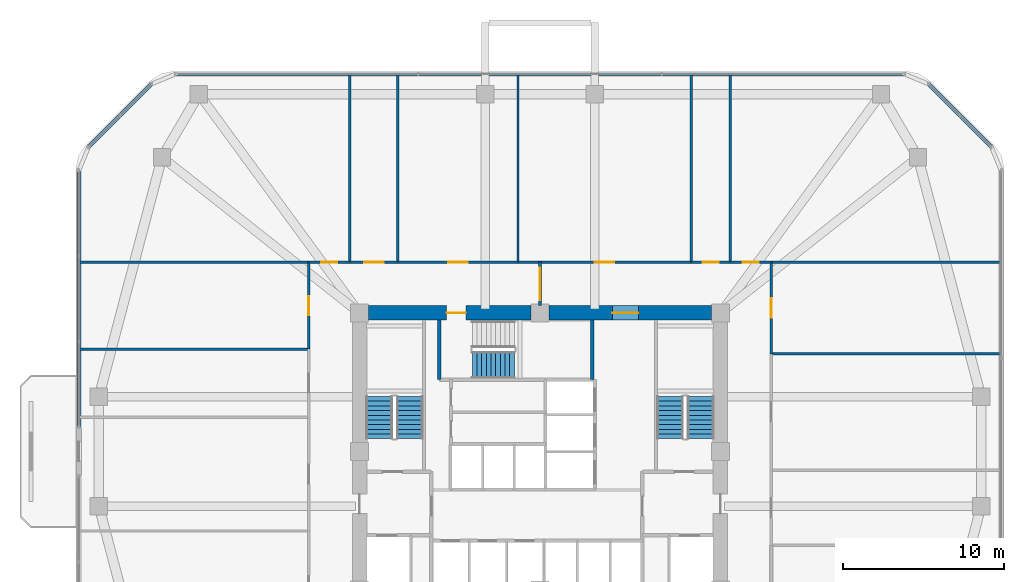
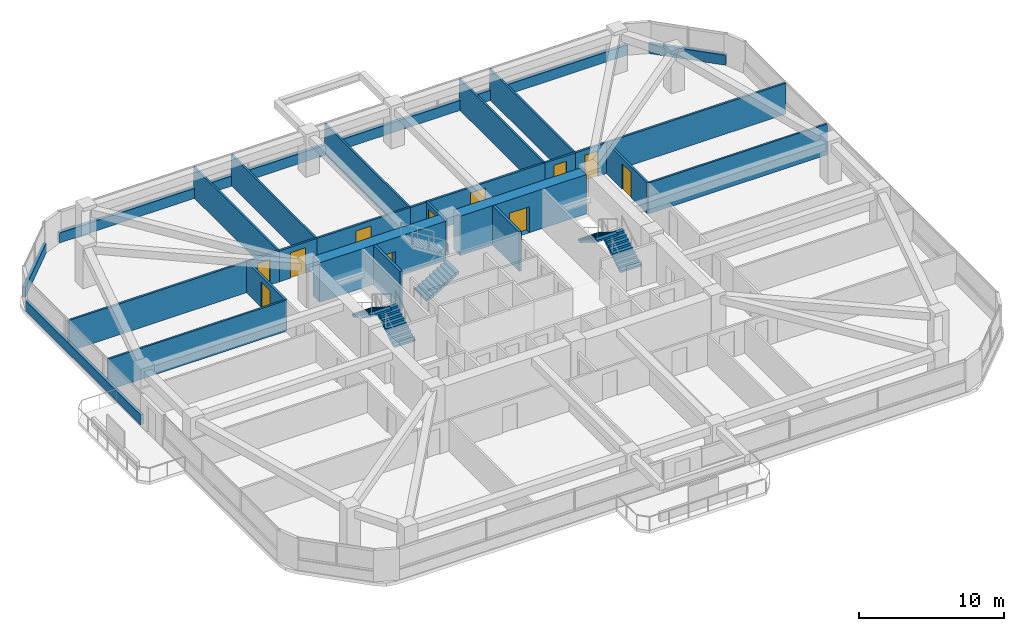
# One storey, part 11 of 14: 26 walls, 11 doors, 5 stair flights, 11 openings, 3 elements without a shape of their own.
"""IFC4 building model written with IfcOpenShell, lengths in metres."""

from ifc_helpers import new_model, si_unit, derived_unit, direction, frame, frame_2d, origin, place, context, subcontext, project, spatial, polyline, rectangle, outline, extrude, material, layer, layer_set, type_object, element, fill, aggregate, save


model = new_model("IFC4")

# Units and contexts
model_context = context("Model", 3, precision=1e-05, world=origin(), true_north=direction((0.0, 1.0)))
body_context = subcontext(model_context, "Body", "Model", "MODEL_VIEW")
ifc_project = project(units=[si_unit("LENGTHUNIT", "METRE"), si_unit("AREAUNIT", "SQUARE_METRE"), si_unit("VOLUMEUNIT", "CUBIC_METRE"), si_unit("PLANEANGLEUNIT", "RADIAN"), si_unit("MASSUNIT", "GRAM", prefix="KILO"), derived_unit("THERMALTRANSMITTANCEUNIT", [(si_unit("POWERUNIT", "WATT"), 1), (si_unit("LENGTHUNIT", "METRE"), -2), (si_unit("THERMODYNAMICTEMPERATUREUNIT", "KELVIN"), -1)])], contexts=[model_context])

# Site, building, storey
site_placement = place(None, origin())
site = spatial("IfcSite", under=ifc_project, at=site_placement, CompositionType="ELEMENT")
building_placement = place(site_placement, origin())
building = spatial("IfcBuilding", under=site, at=building_placement, Name="Koralith Skygarden Medical Center", CompositionType="ELEMENT")
storey_placement = place(building_placement, frame((0.0, 0.0, 34.739990234375)))
storey = spatial("IfcBuildingStorey", under=building, at=storey_placement, Name="L08", CompositionType="ELEMENT", Elevation=34.739990234375)

# Walls
ifc_material_1 = material(Name="Gypsum Board Partition")
ifc_layer_1 = layer(ifc_material_1, 0.14990234375)
ifc_layer_set_1 = layer_set([ifc_layer_1], Name="Gypsum Board Partition")
wall_type_1 = type_object("IfcWallType", Name="Clinical Acoustic Partition 150", PredefinedType="PARTITIONING", material=ifc_layer_set_1)
for number, where, z_axis, x_axis, name in (
    (1, (25.199951171875, 37.64990234375, 0.0), (0.0, 0.0, 1.0), (0.0, 1.0, 0.0), "L08 Clinical Acoustic Partition 150 W-PART-L08-N-01"),
    (2, (28.174072265625, 37.64990234375, 0.0), (0.0, 0.0, 1.0), (0.0, 1.0, 0.0), "L08 Clinical Acoustic Partition 150 W-PART-L08-N-02"),
    (3, (35.636962890625, 37.64990234375, 0.0), (0.0, 0.0, 1.0), (0.0, 1.0, 0.0), "L08 Clinical Acoustic Partition 150 W-PART-L08-N-03"),
    (4, (46.376953125, 37.64990234375, 0.0), (0.0, 0.0, 1.0), (0.0, 1.0, 0.0), "L08 Clinical Acoustic Partition 150 W-PART-L08-N-04"),
    (5, (48.800048828125, 37.64990234375, 0.0), (0.0, 0.0, 1.0), (0.0, 1.0, 0.0), "L08 Clinical Acoustic Partition 150 W-PART-L08-N-05"),
):
    element("IfcWall", number, at=place(storey_placement, frame(where, z_axis=z_axis, x_axis=x_axis)), inside=storey, type_object=wall_type_1, Name=name, PredefinedType="PARTITIONING", context=body_context, shape_type="SweptSolid", body=[
        extrude(rectangle(XDim=11.650146484375, YDim=0.14990234375, at=frame_2d((5.8251953125, 0.0))), origin(), (0.0, 0.0, 1.0), 2.610107421875),
    ])
for number, where, z_axis, x_axis, name in (
    (6, (22.64990234375, 32.25390625, 0.0), (0.0, 0.0, 1.0), (-1.0, 0.0, 0.0), "L08 Clinical Acoustic Partition 150 W-PART-L08-W-03"),
    (7, (51.35009765625, 31.962890625, 0.0), (0.0, 0.0, 1.0), (1.0, 0.0, 0.0), "L08 Clinical Acoustic Partition 150 W-PART-L08-E-03"),
):
    element("IfcWall", number, at=place(storey_placement, frame(where, z_axis=z_axis, x_axis=x_axis)), inside=storey, type_object=wall_type_1, Name=name, PredefinedType="PARTITIONING", context=body_context, shape_type="SweptSolid", body=[
        extrude(rectangle(XDim=14.25, YDim=0.14990234375, at=frame_2d((7.125, 0.0))), origin(), (0.0, 0.0, 1.0), 2.610107421875),
    ])
ifc_layer_2 = layer(ifc_material_1, 0.1650390625)
ifc_layer_set_2 = layer_set([ifc_layer_2], Name="Gypsum Board Partition")
wall_type_2 = type_object("IfcWallType", Name="Clinical Corridor Partition 165", PredefinedType="PARTITIONING", material=ifc_layer_set_2)
for number, where, z_axis, x_axis, name in (
    (8, (8.39990234375, 37.64990234375, 0.0), (0.0, 0.0, 1.0), (1.0, 0.0, 0.0), "L08 Clinical Corridor Partition 165 W-WB-L08-NW"),
    (9, (51.35009765625, 37.64990234375, 0.0), (0.0, 0.0, 1.0), (1.0, 0.0, 0.0), "L08 Clinical Corridor Partition 165 W-WB-L08-NE"),
):
    element("IfcWall", number, at=place(storey_placement, frame(where, z_axis=z_axis, x_axis=x_axis)), inside=storey, type_object=wall_type_2, Name=name, PredefinedType="PARTITIONING", context=body_context, shape_type="SweptSolid", body=[
        extrude(rectangle(XDim=14.25, YDim=0.1650390625, at=frame_2d((7.125, 0.0))), origin(), (0.0, 0.0, 1.0), 2.610107421875),
    ])

# Wall, opening, door
wall_1_placement = place(storey_placement, frame((22.64990234375, 37.64990234375, 0.0), z_axis=(0.0, 0.0, 1.0), x_axis=(1.0, 0.0, 0.0)))
wall_1 = element("IfcWall", 10, at=wall_1_placement, inside=storey, type_object=wall_type_2, Name="L08 Clinical Corridor Partition 165 W-CORR-L08-N-01", PredefinedType="PARTITIONING", context=body_context, shape_type="SweptSolid", body=[
    extrude(rectangle(XDim=2.550048828125, YDim=0.1650390625, at=frame_2d((1.27490234375, 0.0))), origin(), (0.0, 0.0, 1.0), 2.610107421875),
])
opening_1_placement = place(wall_1_placement, frame((0.77490234375, 0.0, 0.0)))
opening_1 = element("IfcOpeningElement", 11, at=opening_1_placement, cuts=wall_1, Name="Opening D-SUP", PredefinedType="OPENING", context=body_context, shape_type="SweptSolid", body=[
    extrude(rectangle(XDim=1.0, YDim=2.14990234375, at=frame_2d((0.5, 1.074951171875))), frame((0.0, 0.092529296875, 0.0), z_axis=(0.0, -1.0, 0.0), x_axis=(1.0, 0.0, 0.0)), (0.0, 0.0, 1.0), 0.18505859375),
])
ifc_material_2 = material(Name="Aluminium 6063-T6", Category="aluminium")
door_type_1 = type_object("IfcDoorType", Name="Clinical Support Door D-SUP 1000", OperationType="NOTDEFINED", PredefinedType="DOOR", material=ifc_material_2)
door_1_placement = place(opening_1_placement, origin())
door_1 = element("IfcDoor", 12, at=door_1_placement, inside=storey, type_object=door_type_1, Name="L08 Ward Mobility Therapy Exercise Hall 01 Door", OperationType="SINGLE_SWING_RIGHT", OverallHeight=2.14990234375, OverallWidth=1.0, PredefinedType="DOOR", context=body_context, shape_type="SweptSolid", body=[
    extrude(rectangle(XDim=1.0, YDim=2.14990234375, at=frame_2d((0.5, 1.074951171875))), frame((0.0, 0.02490234375, 0.0), z_axis=(0.0, -1.0, 0.0), x_axis=(1.0, 0.0, 0.0)), (0.0, 0.0, 1.0), 0.050048828125),
])
fill(opening_1, door_1)

wall_2_placement = place(storey_placement, frame((25.199951171875, 37.64990234375, 0.0), z_axis=(0.0, 0.0, 1.0), x_axis=(1.0, 0.0, 0.0)))
wall_2 = element("IfcWall", 13, at=wall_2_placement, inside=storey, type_object=wall_type_2, Name="L08 Clinical Corridor Partition 165 W-CORR-L08-N-02", PredefinedType="PARTITIONING", context=body_context, shape_type="SweptSolid", body=[
    extrude(rectangle(XDim=2.97412109375, YDim=0.1650390625, at=frame_2d((1.487060546875, 0.0))), origin(), (0.0, 0.0, 1.0), 2.610107421875),
])
opening_2_placement = place(wall_2_placement, frame((0.886962890625, 0.0, 0.0)))
opening_2 = element("IfcOpeningElement", 14, at=opening_2_placement, cuts=wall_2, Name="Opening D-CLN", PredefinedType="OPENING", context=body_context, shape_type="SweptSolid", body=[
    extrude(rectangle(XDim=1.199951171875, YDim=2.14990234375, at=frame_2d((0.60009765625, 1.074951171875))), frame((0.0, 0.092529296875, 0.0), z_axis=(0.0, -1.0, 0.0), x_axis=(1.0, 0.0, 0.0)), (0.0, 0.0, 1.0), 0.18505859375),
])
door_type_2 = type_object("IfcDoorType", Name="Clinical Corridor Door D-CLN 1200", OperationType="NOTDEFINED", PredefinedType="DOOR", material=ifc_material_2)
door_2_placement = place(opening_2_placement, origin())
door_2 = element("IfcDoor", 15, at=door_2_placement, inside=storey, type_object=door_type_2, Name="L08 Diagnostic Ultrasound Exam Room 02 Door", OperationType="SINGLE_SWING_LEFT", OverallHeight=2.14990234375, OverallWidth=1.199951171875, PredefinedType="DOOR", context=body_context, shape_type="SweptSolid", body=[
    extrude(rectangle(XDim=1.199951171875, YDim=2.14990234375, at=frame_2d((0.60009765625, 1.074951171875))), frame((0.0, 0.02490234375, 0.0), z_axis=(0.0, -1.0, 0.0), x_axis=(1.0, 0.0, 0.0)), (0.0, 0.0, 1.0), 0.050048828125),
])
fill(opening_2, door_2)

wall_3_placement = place(storey_placement, frame((28.174072265625, 37.64990234375, 0.0), z_axis=(0.0, 0.0, 1.0), x_axis=(1.0, 0.0, 0.0)))
wall_3 = element("IfcWall", 16, at=wall_3_placement, inside=storey, type_object=wall_type_2, Name="L08 Clinical Corridor Partition 165 W-CORR-L08-N-03", PredefinedType="PARTITIONING", context=body_context, shape_type="SweptSolid", body=[
    extrude(rectangle(XDim=7.462890625, YDim=0.1650390625, at=frame_2d((3.7314453125, 0.0))), origin(), (0.0, 0.0, 1.0), 2.610107421875),
])
opening_3_placement = place(wall_3_placement, frame((3.132080078125, 0.0, 0.0)))
opening_3 = element("IfcOpeningElement", 17, at=opening_3_placement, cuts=wall_3, Name="Opening D-CLN", PredefinedType="OPENING", context=body_context, shape_type="SweptSolid", body=[
    extrude(rectangle(XDim=1.199951171875, YDim=2.14990234375, at=frame_2d((0.60009765625, 1.074951171875))), frame((0.0, 0.092529296875, 0.0), z_axis=(0.0, -1.0, 0.0), x_axis=(1.0, 0.0, 0.0)), (0.0, 0.0, 1.0), 0.18505859375),
])
door_3_placement = place(opening_3_placement, origin())
door_3 = element("IfcDoor", 18, at=door_3_placement, inside=storey, type_object=door_type_2, Name="L08 Multidisciplinary Huddle Room 03 Door", OperationType="SINGLE_SWING_RIGHT", OverallHeight=2.14990234375, OverallWidth=1.199951171875, PredefinedType="DOOR", context=body_context, shape_type="SweptSolid", body=[
    extrude(rectangle(XDim=1.199951171875, YDim=2.14990234375, at=frame_2d((0.60009765625, 1.074951171875))), frame((0.0, 0.02490234375, 0.0), z_axis=(0.0, -1.0, 0.0), x_axis=(1.0, 0.0, 0.0)), (0.0, 0.0, 1.0), 0.050048828125),
])
fill(opening_3, door_3)

wall_4_placement = place(storey_placement, frame((35.636962890625, 37.64990234375, 0.0), z_axis=(0.0, 0.0, 1.0), x_axis=(1.0, 0.0, 0.0)))
wall_4 = element("IfcWall", 19, at=wall_4_placement, inside=storey, type_object=wall_type_2, Name="L08 Clinical Corridor Partition 165 W-CORR-L08-N-04", PredefinedType="PARTITIONING", context=body_context, shape_type="SweptSolid", body=[
    extrude(rectangle(XDim=10.739990234375, YDim=0.1650390625, at=frame_2d((5.3701171875, 0.0))), origin(), (0.0, 0.0, 1.0), 2.610107421875),
])
opening_4_placement = place(wall_4_placement, frame((4.77001953125, 0.0, 0.0)))
opening_4 = element("IfcOpeningElement", 20, at=opening_4_placement, cuts=wall_4, Name="Opening D-CLN", PredefinedType="OPENING", context=body_context, shape_type="SweptSolid", body=[
    extrude(rectangle(XDim=1.199951171875, YDim=2.14990234375, at=frame_2d((0.60009765625, 1.074951171875))), frame((0.0, 0.092529296875, 0.0), z_axis=(0.0, -1.0, 0.0), x_axis=(1.0, 0.0, 0.0)), (0.0, 0.0, 1.0), 0.18505859375),
])
door_4_placement = place(opening_4_placement, origin())
door_4 = element("IfcDoor", 21, at=door_4_placement, inside=storey, type_object=door_type_2, Name="L08 Clinical Consultation Office 04 Door", OperationType="SINGLE_SWING_LEFT", OverallHeight=2.14990234375, OverallWidth=1.199951171875, PredefinedType="DOOR", context=body_context, shape_type="SweptSolid", body=[
    extrude(rectangle(XDim=1.199951171875, YDim=2.14990234375, at=frame_2d((0.60009765625, 1.074951171875))), frame((0.0, 0.02490234375, 0.0), z_axis=(0.0, -1.0, 0.0), x_axis=(1.0, 0.0, 0.0)), (0.0, 0.0, 1.0), 0.050048828125),
])
fill(opening_4, door_4)

wall_5_placement = place(storey_placement, frame((46.376953125, 37.64990234375, 0.0), z_axis=(0.0, 0.0, 1.0), x_axis=(1.0, 0.0, 0.0)))
wall_5 = element("IfcWall", 22, at=wall_5_placement, inside=storey, type_object=wall_type_2, Name="L08 Clinical Corridor Partition 165 W-CORR-L08-N-05", PredefinedType="PARTITIONING", context=body_context, shape_type="SweptSolid", body=[
    extrude(rectangle(XDim=2.423095703125, YDim=0.1650390625, at=frame_2d((1.21142578125, 0.0))), origin(), (0.0, 0.0, 1.0), 2.610107421875),
])
opening_5_placement = place(wall_5_placement, frame((0.7109375, 0.0, 0.0)))
opening_5 = element("IfcOpeningElement", 23, at=opening_5_placement, cuts=wall_5, Name="Opening D-SUP", PredefinedType="OPENING", context=body_context, shape_type="SweptSolid", body=[
    extrude(rectangle(XDim=1.0, YDim=2.14990234375, at=frame_2d((0.5, 1.074951171875))), frame((0.0, 0.092529296875, 0.0), z_axis=(0.0, -1.0, 0.0), x_axis=(1.0, 0.0, 0.0)), (0.0, 0.0, 1.0), 0.18505859375),
])
door_5_placement = place(opening_5_placement, origin())
door_5 = element("IfcDoor", 24, at=door_5_placement, inside=storey, type_object=door_type_1, Name="L08 Ward Mobility Therapy Exercise Hall 05 Door", OperationType="SINGLE_SWING_RIGHT", OverallHeight=2.14990234375, OverallWidth=1.0, PredefinedType="DOOR", context=body_context, shape_type="SweptSolid", body=[
    extrude(rectangle(XDim=1.0, YDim=2.14990234375, at=frame_2d((0.5, 1.074951171875))), frame((0.0, 0.02490234375, 0.0), z_axis=(0.0, -1.0, 0.0), x_axis=(1.0, 0.0, 0.0)), (0.0, 0.0, 1.0), 0.050048828125),
])
fill(opening_5, door_5)

wall_6_placement = place(storey_placement, frame((48.800048828125, 37.64990234375, 0.0), z_axis=(0.0, 0.0, 1.0), x_axis=(1.0, 0.0, 0.0)))
wall_6 = element("IfcWall", 25, at=wall_6_placement, inside=storey, type_object=wall_type_2, Name="L08 Clinical Corridor Partition 165 W-CORR-L08-N-06", PredefinedType="PARTITIONING", context=body_context, shape_type="SweptSolid", body=[
    extrude(rectangle(XDim=2.550048828125, YDim=0.1650390625, at=frame_2d((1.27490234375, 0.0))), origin(), (0.0, 0.0, 1.0), 2.610107421875),
])
opening_6_placement = place(wall_6_placement, frame((0.77490234375, 0.0, 0.0)))
opening_6 = element("IfcOpeningElement", 26, at=opening_6_placement, cuts=wall_6, Name="Opening D-SUP", PredefinedType="OPENING", context=body_context, shape_type="SweptSolid", body=[
    extrude(rectangle(XDim=1.0, YDim=2.14990234375, at=frame_2d((0.5, 1.074951171875))), frame((0.0, 0.092529296875, 0.0), z_axis=(0.0, -1.0, 0.0), x_axis=(1.0, 0.0, 0.0)), (0.0, 0.0, 1.0), 0.18505859375),
])
door_6_placement = place(opening_6_placement, origin())
door_6 = element("IfcDoor", 27, at=door_6_placement, inside=storey, type_object=door_type_1, Name="L08 Multidisciplinary Clinical Conference Room 06 Door", OperationType="SINGLE_SWING_LEFT", OverallHeight=2.14990234375, OverallWidth=1.0, PredefinedType="DOOR", context=body_context, shape_type="SweptSolid", body=[
    extrude(rectangle(XDim=1.0, YDim=2.14990234375, at=frame_2d((0.5, 1.074951171875))), frame((0.0, 0.02490234375, 0.0), z_axis=(0.0, -1.0, 0.0), x_axis=(1.0, 0.0, 0.0)), (0.0, 0.0, 1.0), 0.050048828125),
])
fill(opening_6, door_6)

wall_7_placement = place(storey_placement, frame((22.64990234375, 32.25390625, 0.0), z_axis=(0.0, 0.0, 1.0), x_axis=(0.0, 1.0, 0.0)))
wall_7 = element("IfcWall", 28, at=wall_7_placement, inside=storey, type_object=wall_type_2, Name="L08 Clinical Corridor Partition 165 W-CORR-L08-W-04", PredefinedType="PARTITIONING", context=body_context, shape_type="SweptSolid", body=[
    extrude(rectangle(XDim=5.39599609375, YDim=0.1650390625, at=frame_2d((2.697998046875, 0.0))), origin(), (0.0, 0.0, 1.0), 2.610107421875),
])
opening_7_placement = place(wall_7_placement, frame((2.097900390625, 0.0, 0.0)))
opening_7 = element("IfcOpeningElement", 29, at=opening_7_placement, cuts=wall_7, Name="Opening D-CLN", PredefinedType="OPENING", context=body_context, shape_type="SweptSolid", body=[
    extrude(rectangle(XDim=1.199951171875, YDim=2.14990234375, at=frame_2d((0.60009765625, 1.074951171875))), frame((0.0, 0.092529296875, 0.0), z_axis=(0.0, -1.0, 0.0), x_axis=(1.0, 0.0, 0.0)), (0.0, 0.0, 1.0), 0.18505859375),
])
door_7_placement = place(opening_7_placement, frame((1.199951171875, 0.0, 0.0), z_axis=(0.0, 0.0, 1.0), x_axis=(-1.0, 0.0, 0.0)))
door_7 = element("IfcDoor", 30, at=door_7_placement, inside=storey, type_object=door_type_2, Name="L08 Diagnostic Ultrasound Exam Room 16 Door", OperationType="SINGLE_SWING_LEFT", OverallHeight=2.14990234375, OverallWidth=1.199951171875, PredefinedType="DOOR", context=body_context, shape_type="SweptSolid", body=[
    extrude(rectangle(XDim=1.199951171875, YDim=2.14990234375, at=frame_2d((0.60009765625, 1.074951171875))), frame((0.0, 0.02490234375, 0.0), z_axis=(0.0, -1.0, 0.0), x_axis=(1.0, 0.0, 0.0)), (0.0, 0.0, 1.0), 0.050048828125),
])
fill(opening_7, door_7)

wall_8_placement = place(storey_placement, frame((51.35009765625, 31.962890625, 0.0), z_axis=(0.0, 0.0, 1.0), x_axis=(0.0, 1.0, 0.0)))
wall_8 = element("IfcWall", 31, at=wall_8_placement, inside=storey, type_object=wall_type_2, Name="L08 Clinical Corridor Partition 165 W-CORR-L08-E-04", PredefinedType="PARTITIONING", context=body_context, shape_type="SweptSolid", body=[
    extrude(rectangle(XDim=5.68701171875, YDim=0.1650390625, at=frame_2d((2.843505859375, 0.0))), origin(), (0.0, 0.0, 1.0), 2.610107421875),
])
opening_8_placement = place(wall_8_placement, frame((2.242919921875, 0.0, 0.0)))
opening_8 = element("IfcOpeningElement", 32, at=opening_8_placement, cuts=wall_8, Name="Opening D-CLN", PredefinedType="OPENING", context=body_context, shape_type="SweptSolid", body=[
    extrude(rectangle(XDim=1.199951171875, YDim=2.14990234375, at=frame_2d((0.60009765625, 1.074951171875))), frame((0.0, 0.092529296875, 0.0), z_axis=(0.0, -1.0, 0.0), x_axis=(1.0, 0.0, 0.0)), (0.0, 0.0, 1.0), 0.18505859375),
])
door_8_placement = place(opening_8_placement, origin())
door_8 = element("IfcDoor", 33, at=door_8_placement, inside=storey, type_object=door_type_2, Name="L08 Diagnostic Ultrasound Exam Room 20 Door", OperationType="SINGLE_SWING_LEFT", OverallHeight=2.14990234375, OverallWidth=1.199951171875, PredefinedType="DOOR", context=body_context, shape_type="SweptSolid", body=[
    extrude(rectangle(XDim=1.199951171875, YDim=2.14990234375, at=frame_2d((0.60009765625, 1.074951171875))), frame((0.0, 0.02490234375, 0.0), z_axis=(0.0, -1.0, 0.0), x_axis=(1.0, 0.0, 0.0)), (0.0, 0.0, 1.0), 0.050048828125),
])
fill(opening_8, door_8)

ifc_layer_3 = layer(ifc_material_1, 0.179931640625)
ifc_layer_set_3 = layer_set([ifc_layer_3], Name="Gypsum Board Partition")
wall_type_3 = type_object("IfcWallType", Name="Group I-2 Smoke Barrier Wall 180", PredefinedType="PARTITIONING", material=ifc_layer_set_3)
wall_9_placement = place(storey_placement, frame((37.0, 34.949951171875, 0.0), z_axis=(0.0, 0.0, 1.0), x_axis=(0.0, 1.0, 0.0)))
wall_9 = element("IfcWall", 34, at=wall_9_placement, inside=storey, type_object=wall_type_3, Name="L08 Group I-2 Smoke Barrier Wall 180 W-SMK-L08-N", PredefinedType="PARTITIONING", context=body_context, shape_type="SweptSolid", body=[
    extrude(rectangle(XDim=2.699951171875, YDim=0.179931640625, at=frame_2d((1.35009765625, 0.0))), origin(), (0.0, 0.0, 1.0), 2.610107421875),
])
opening_9_placement = place(wall_9_placement, frame((0.35009765625, 0.0, 0.0)))
opening_9 = element("IfcOpeningElement", 35, at=opening_9_placement, cuts=wall_9, Name="Opening D-SMK", PredefinedType="OPENING", context=body_context, shape_type="SweptSolid", body=[
    extrude(rectangle(XDim=2.0, YDim=2.199951171875, at=frame_2d((1.0, 1.10009765625))), frame((0.0, 0.099853515625, 0.0), z_axis=(0.0, -1.0, 0.0), x_axis=(1.0, 0.0, 0.0)), (0.0, 0.0, 1.0), 0.199951171875),
])
ifc_material_3 = material(Name="Steel ASTM A500 Grade C", Category="steel")
door_type_3 = type_object("IfcDoorType", Name="Cross-Corridor Double Smoke Door FD60S 2000", OperationType="NOTDEFINED", PredefinedType="DOOR", material=ifc_material_3)
door_9_placement = place(opening_9_placement, origin())
door_9 = element("IfcDoor", 36, at=door_9_placement, inside=storey, type_object=door_type_3, Name="L08 N Smoke Compartment Cross-Corridor Door", OperationType="DOUBLE_DOOR_SINGLE_SWING", OverallHeight=2.199951171875, OverallWidth=2.0, PredefinedType="DOOR", context=body_context, shape_type="SweptSolid", body=[
    extrude(rectangle(XDim=2.0, YDim=2.199951171875, at=frame_2d((1.0, 1.10009765625))), frame((0.0, 0.02490234375, 0.0), z_axis=(0.0, -1.0, 0.0), x_axis=(1.0, 0.0, 0.0)), (0.0, 0.0, 1.0), 0.050048828125),
])
fill(opening_9, door_9)

# Walls
ifc_material_4 = material(Name="Warm Oolitic Limestone Cladding", Category="masonry")
ifc_layer_4 = layer(ifc_material_4, 0.239990234375)
ifc_layer_set_4 = layer_set([ifc_layer_4], Name="Warm Oolitic Limestone Cladding")
wall_type_4 = type_object("IfcWallType", Name="Limestone Spandrel Sill Backup Wall 240", PredefinedType="SOLIDWALL", material=ifc_layer_set_4)
wall_10_placement = place(storey_placement, frame((65.01904296875, 44.7958984375, 0.0), z_axis=(0.0, 0.0, 1.0), x_axis=(-0.707106781187, 0.707106781187, 0.0)))
element("IfcWall", 37, at=wall_10_placement, inside=storey, type_object=wall_type_4, Name="L08 Sill Spandrel NE", PredefinedType="SOLIDWALL", context=body_context, shape_type="SweptSolid", body=[
    extrude(rectangle(XDim=5.548095703125, YDim=0.239990234375, at=frame_2d((2.77392578125, 0.0))), origin(), (0.0, 0.0, 1.0), 0.85009765625),
])
wall_11_placement = place(storey_placement, frame((59.64501953125, 49.320068359375, 0.0), z_axis=(0.0, 0.0, 1.0), x_axis=(-1.0, 0.0, 0.0)))
element("IfcWall", 38, at=wall_11_placement, inside=storey, type_object=wall_type_4, Name="L08 Sill Spandrel N", PredefinedType="SOLIDWALL", context=body_context, shape_type="SweptSolid", body=[
    extrude(rectangle(XDim=45.2900390625, YDim=0.239990234375, at=frame_2d((22.64501953125, 0.0))), origin(), (0.0, 0.0, 1.0), 0.85009765625),
])
wall_12_placement = place(storey_placement, frame((12.904052734375, 48.718994140625, 0.0), z_axis=(0.0, 0.0, 1.0), x_axis=(-0.707106781187, -0.707106781187, 0.0)))
element("IfcWall", 39, at=wall_12_placement, inside=storey, type_object=wall_type_4, Name="L08 Sill Spandrel NW", PredefinedType="SOLIDWALL", context=body_context, shape_type="SweptSolid", body=[
    extrude(rectangle(XDim=5.548095703125, YDim=0.239990234375, at=frame_2d((2.77392578125, 0.0))), origin(), (0.0, 0.0, 1.0), 0.85009765625),
])
wall_13_placement = place(storey_placement, frame((8.3798828125, 43.344970703125, 0.0), z_axis=(0.0, 0.0, 1.0), x_axis=(0.0, -1.0, 0.0)))
element("IfcWall", 40, at=wall_13_placement, inside=storey, type_object=wall_type_4, Name="L08 Sill Spandrel W-L", PredefinedType="SOLIDWALL", context=body_context, shape_type="SweptSolid", body=[
    extrude(rectangle(XDim=15.905029296875, YDim=0.239990234375, at=frame_2d((7.95263671875, 0.0))), origin(), (0.0, 0.0, 1.0), 0.85009765625),
])

# Wall, opening, door
ifc_material_5 = material(Name="Concrete C70/85", Category="concrete")
ifc_layer_5 = layer(ifc_material_5, 0.89990234375)
ifc_layer_set_5 = layer_set([ifc_layer_5], Name="Concrete C70/85")
wall_type_5 = type_object("IfcWallType", Name="Lower Core Shear Wall 900", PredefinedType="SHEAR", material=ifc_layer_set_5)
wall_14_placement = place(storey_placement, frame((47.635009765625, 34.5, 0.0), z_axis=(0.0, 0.0, 1.0), x_axis=(-1.0, 0.0, 0.0)))
wall_14 = element("IfcWall", 41, at=wall_14_placement, inside=storey, type_object=wall_type_5, Name="L08 Core Shear Wall Segment 5", PredefinedType="SHEAR", context=body_context, shape_type="SweptSolid", body=[
    extrude(rectangle(XDim=10.070068359375, YDim=0.89990234375, at=frame_2d((5.03515625, 0.0))), origin(), (0.0, 0.0, 1.0), 3.320068359375),
])
opening_10_placement = place(wall_14_placement, frame((4.534912109375, 0.0, 0.0)))
opening_10 = element("IfcOpeningElement", 42, at=opening_10_placement, cuts=wall_14, Name="Opening D-DBL", PredefinedType="OPENING", context=body_context, shape_type="SweptSolid", body=[
    extrude(rectangle(XDim=1.60009765625, YDim=2.199951171875, at=frame_2d((0.800048828125, 1.10009765625))), frame((0.0, 0.4599609375, 0.0), z_axis=(0.0, -1.0, 0.0), x_axis=(1.0, 0.0, 0.0)), (0.0, 0.0, 1.0), 0.919921875),
])
door_type_4 = type_object("IfcDoorType", Name="Double Clinical Suite Door D-DBL 1600", OperationType="NOTDEFINED", PredefinedType="DOOR", material=ifc_material_2)
door_10_placement = place(opening_10_placement, frame((1.60009765625, 0.0, 0.0), z_axis=(0.0, 0.0, 1.0), x_axis=(-1.0, 0.0, 0.0)))
door_10 = element("IfcDoor", 43, at=door_10_placement, inside=storey, type_object=door_type_4, Name="L08 North-East Corridor to Elevator Lobby Door", OperationType="DOUBLE_DOOR_SINGLE_SWING", OverallHeight=2.199951171875, OverallWidth=1.60009765625, PredefinedType="DOOR", context=body_context, shape_type="SweptSolid", body=[
    extrude(rectangle(XDim=1.60009765625, YDim=2.199951171875, at=frame_2d((0.800048828125, 1.10009765625))), frame((0.0, 0.02490234375, 0.0), z_axis=(0.0, -1.0, 0.0), x_axis=(1.0, 0.0, 0.0)), (0.0, 0.0, 1.0), 0.050048828125),
])
fill(opening_10, door_10)

wall_15_placement = place(storey_placement, frame((36.43505859375, 34.5, 0.0), z_axis=(0.0, 0.0, 1.0), x_axis=(-1.0, 0.0, 0.0)))
wall_15 = element("IfcWall", 44, at=wall_15_placement, inside=storey, type_object=wall_type_5, Name="L08 Core Shear Wall Segment 6", PredefinedType="SHEAR", context=body_context, shape_type="SweptSolid", body=[
    extrude(rectangle(XDim=10.070068359375, YDim=0.89990234375, at=frame_2d((5.03515625, 0.0))), origin(), (0.0, 0.0, 1.0), 3.320068359375),
])
opening_11_placement = place(wall_15_placement, frame((4.034912109375, 0.0, 0.0)))
opening_11 = element("IfcOpeningElement", 45, at=opening_11_placement, cuts=wall_15, Name="Opening D-ST60", PredefinedType="OPENING", context=body_context, shape_type="SweptSolid", body=[
    extrude(rectangle(XDim=1.199951171875, YDim=2.14990234375, at=frame_2d((0.60009765625, 1.074951171875))), frame((0.0, 0.4599609375, 0.0), z_axis=(0.0, -1.0, 0.0), x_axis=(1.0, 0.0, 0.0)), (0.0, 0.0, 1.0), 0.919921875),
])
door_type_5 = type_object("IfcDoorType", Name="Smokeproof Stair Fire Door FD60S 1200", OperationType="NOTDEFINED", PredefinedType="DOOR", material=ifc_material_3)
door_11_placement = place(opening_11_placement, frame((1.199951171875, 0.0, 0.0), z_axis=(0.0, 0.0, 1.0), x_axis=(-1.0, 0.0, 0.0)))
door_11 = element("IfcDoor", 46, at=door_11_placement, inside=storey, type_object=door_type_5, Name="L08 Exit Stair ST3 Fire Door", OperationType="SINGLE_SWING_LEFT", OverallHeight=2.14990234375, OverallWidth=1.199951171875, PredefinedType="DOOR", context=body_context, shape_type="SweptSolid", body=[
    extrude(rectangle(XDim=1.199951171875, YDim=2.14990234375, at=frame_2d((0.60009765625, 1.074951171875))), frame((0.0, 0.02490234375, 0.0), z_axis=(0.0, -1.0, 0.0), x_axis=(1.0, 0.0, 0.0)), (0.0, 0.0, 1.0), 0.050048828125),
])
fill(opening_11, door_11)

# Walls
ifc_material_6 = material(Name="Concrete C45/55", Category="concrete")
ifc_layer_6 = layer(ifc_material_6, 0.199951171875)
ifc_layer_set_6 = layer_set([ifc_layer_6], Name="Concrete C45/55")
wall_type_6 = type_object("IfcWallType", Name="Structural Stair Shaft Wall 200", PredefinedType="SHEAR", material=ifc_layer_set_6)
for number, where, z_axis, x_axis, name in (
    (47, (30.75, 30.360107421875, 0.0), (0.0, 0.0, 1.0), (0.0, 1.0, 0.0), "L08 Structural Stair Shaft Wall 200 W-CORE-L08-ST3-W"),
    (48, (40.25, 30.360107421875, 0.0), (0.0, 0.0, 1.0), (0.0, 1.0, 0.0), "L08 Structural Stair Shaft Wall 200 W-CORE-L08-ST3-E"),
):
    element("IfcWall", number, at=place(storey_placement, frame(where, z_axis=z_axis, x_axis=x_axis)), inside=storey, type_object=wall_type_6, Name=name, PredefinedType="SHEAR", context=body_context, shape_type="SweptSolid", body=[
        extrude(rectangle(XDim=3.68994140625, YDim=0.199951171875, at=frame_2d((1.844970703125, 0.0))), origin(), (0.0, 0.0, 1.0), 3.320068359375),
    ])

# Stair, stair flights
stair_type = type_object("IfcStairType", Name="Core Exit Dogleg Concrete Stair", PredefinedType="HALF_TURN_STAIR", material=ifc_material_6)
stair_1_placement = place(storey_placement, origin())
stair_1 = element("IfcStair", 49, at=stair_1_placement, inside=storey, type_object=stair_type, Name="L08 Smokeproof Exit Stair ST1", PredefinedType="HALF_TURN_STAIR")
stair_flight_type = type_object("IfcStairFlightType", Name="Core Exit Concrete Stair Flight 1650", PredefinedType="STRAIGHT", material=ifc_material_6)
stair_flight_1_placement = place(storey_placement, frame((28.925048828125, 26.699951171875, 0.0), z_axis=(0.0, 0.0, 1.0), x_axis=(0.0, 1.0, 0.0)))
stair_flight_1 = element("IfcStairFlight", 50, at=stair_flight_1_placement, type_object=stair_flight_type, Name="ST1 flight 1", NumberOfRisers=10, NumberOfTreads=9, PredefinedType="STRAIGHT", RiserHeight=0.18, TreadLength=0.29, context=body_context, shape_type="SweptSolid", body=[
    extrude(outline(polyline([(0.0, 0.0), (0.0, 0.179931640625), (0.2900390625, 0.179931640625), (0.2900390625, 0.360107421875), (0.580078125, 0.360107421875), (0.580078125, 0.5400390625), (0.8701171875, 0.5400390625), (0.8701171875, 0.719970703125), (1.159912109375, 0.719970703125), (1.159912109375, 0.89990234375), (1.449951171875, 0.89990234375), (1.449951171875, 1.080078125), (1.739990234375, 1.080078125), (1.739990234375, 1.260009765625), (2.030029296875, 1.260009765625), (2.030029296875, 1.43994140625), (2.320068359375, 1.43994140625), (2.320068359375, 1.6201171875), (2.610107421875, 1.6201171875), (2.610107421875, 1.800048828125), (2.610107421875, 1.443603515625), (0.2841796875, 0.0), (0.0, 0.0)])), frame((0.0, 0.824951171875, 0.0), z_axis=(0.0, -1.0, 0.0), x_axis=(1.0, 0.0, 0.0)), (0.0, 0.0, 1.0), 1.64990234375),
])
stair_flight_2_placement = place(storey_placement, frame((27.02490234375, 29.31005859375, 1.800048828125), z_axis=(0.0, 0.0, 1.0), x_axis=(0.0, -1.0, 0.0)))
stair_flight_2 = element("IfcStairFlight", 51, at=stair_flight_2_placement, type_object=stair_flight_type, Name="ST1 flight 2", NumberOfRisers=10, NumberOfTreads=9, PredefinedType="STRAIGHT", RiserHeight=0.18, TreadLength=0.29, context=body_context, shape_type="SweptSolid", body=[
    extrude(outline(polyline([(0.0, 0.0), (0.0, 0.179931640625), (0.2900390625, 0.179931640625), (0.2900390625, 0.360107421875), (0.580078125, 0.360107421875), (0.580078125, 0.5400390625), (0.8701171875, 0.5400390625), (0.8701171875, 0.719970703125), (1.159912109375, 0.719970703125), (1.159912109375, 0.89990234375), (1.449951171875, 0.89990234375), (1.449951171875, 1.080078125), (1.739990234375, 1.080078125), (1.739990234375, 1.260009765625), (2.030029296875, 1.260009765625), (2.030029296875, 1.43994140625), (2.320068359375, 1.43994140625), (2.320068359375, 1.6201171875), (2.610107421875, 1.6201171875), (2.610107421875, 1.800048828125), (2.610107421875, 1.443603515625), (0.2841796875, 0.0), (0.0, 0.0)])), frame((0.0, 0.824951171875, 0.0), z_axis=(0.0, -1.0, 0.0), x_axis=(1.0, 0.0, 0.0)), (0.0, 0.0, 1.0), 1.64990234375),
])
aggregate(stair_1, [stair_flight_1, stair_flight_2])

stair_2_placement = place(storey_placement, origin())
stair_2 = element("IfcStair", 52, at=stair_2_placement, inside=storey, type_object=stair_type, Name="L08 Smokeproof Exit Stair ST2", PredefinedType="HALF_TURN_STAIR")
stair_flight_3_placement = place(storey_placement, frame((46.97509765625, 26.699951171875, 0.0), z_axis=(0.0, 0.0, 1.0), x_axis=(0.0, 1.0, 0.0)))
stair_flight_3 = element("IfcStairFlight", 53, at=stair_flight_3_placement, type_object=stair_flight_type, Name="ST2 flight 1", NumberOfRisers=10, NumberOfTreads=9, PredefinedType="STRAIGHT", RiserHeight=0.18, TreadLength=0.29, context=body_context, shape_type="SweptSolid", body=[
    extrude(outline(polyline([(0.0, 0.0), (0.0, 0.179931640625), (0.2900390625, 0.179931640625), (0.2900390625, 0.360107421875), (0.580078125, 0.360107421875), (0.580078125, 0.5400390625), (0.8701171875, 0.5400390625), (0.8701171875, 0.719970703125), (1.159912109375, 0.719970703125), (1.159912109375, 0.89990234375), (1.449951171875, 0.89990234375), (1.449951171875, 1.080078125), (1.739990234375, 1.080078125), (1.739990234375, 1.260009765625), (2.030029296875, 1.260009765625), (2.030029296875, 1.43994140625), (2.320068359375, 1.43994140625), (2.320068359375, 1.6201171875), (2.610107421875, 1.6201171875), (2.610107421875, 1.800048828125), (2.610107421875, 1.443603515625), (0.2841796875, 0.0), (0.0, 0.0)])), frame((0.0, 0.824951171875, 0.0), z_axis=(0.0, -1.0, 0.0), x_axis=(1.0, 0.0, 0.0)), (0.0, 0.0, 1.0), 1.64990234375),
])
stair_flight_4_placement = place(storey_placement, frame((45.074951171875, 29.31005859375, 1.800048828125), z_axis=(0.0, 0.0, 1.0), x_axis=(0.0, -1.0, 0.0)))
stair_flight_4 = element("IfcStairFlight", 54, at=stair_flight_4_placement, type_object=stair_flight_type, Name="ST2 flight 2", NumberOfRisers=10, NumberOfTreads=9, PredefinedType="STRAIGHT", RiserHeight=0.18, TreadLength=0.29, context=body_context, shape_type="SweptSolid", body=[
    extrude(outline(polyline([(0.0, 0.0), (0.0, 0.179931640625), (0.2900390625, 0.179931640625), (0.2900390625, 0.360107421875), (0.580078125, 0.360107421875), (0.580078125, 0.5400390625), (0.8701171875, 0.5400390625), (0.8701171875, 0.719970703125), (1.159912109375, 0.719970703125), (1.159912109375, 0.89990234375), (1.449951171875, 0.89990234375), (1.449951171875, 1.080078125), (1.739990234375, 1.080078125), (1.739990234375, 1.260009765625), (2.030029296875, 1.260009765625), (2.030029296875, 1.43994140625), (2.320068359375, 1.43994140625), (2.320068359375, 1.6201171875), (2.610107421875, 1.6201171875), (2.610107421875, 1.800048828125), (2.610107421875, 1.443603515625), (0.2841796875, 0.0), (0.0, 0.0)])), frame((0.0, 0.824951171875, 0.0), z_axis=(0.0, -1.0, 0.0), x_axis=(1.0, 0.0, 0.0)), (0.0, 0.0, 1.0), 1.64990234375),
])
aggregate(stair_2, [stair_flight_3, stair_flight_4])

# Stair, stair flight
stair_3_placement = place(storey_placement, origin())
stair_3 = element("IfcStair", 55, at=stair_3_placement, inside=storey, type_object=stair_type, Name="L08 Smokeproof Exit Stair ST3", PredefinedType="HALF_TURN_STAIR")
stair_flight_5_placement = place(storey_placement, frame((32.800048828125, 31.27490234375, 0.0), z_axis=(0.0, 0.0, 1.0), x_axis=(1.0, 0.0, 0.0)))
stair_flight_5 = element("IfcStairFlight", 56, at=stair_flight_5_placement, type_object=stair_flight_type, Name="ST3 flight 1", NumberOfRisers=10, NumberOfTreads=9, PredefinedType="STRAIGHT", RiserHeight=0.18, TreadLength=0.29, context=body_context, shape_type="SweptSolid", body=[
    extrude(outline(polyline([(0.0, 0.0), (0.0, 0.179931640625), (0.2900390625, 0.179931640625), (0.2900390625, 0.360107421875), (0.580078125, 0.360107421875), (0.580078125, 0.5400390625), (0.8701171875, 0.5400390625), (0.8701171875, 0.719970703125), (1.159912109375, 0.719970703125), (1.159912109375, 0.89990234375), (1.449951171875, 0.89990234375), (1.449951171875, 1.080078125), (1.739990234375, 1.080078125), (1.739990234375, 1.260009765625), (2.030029296875, 1.260009765625), (2.030029296875, 1.43994140625), (2.320068359375, 1.43994140625), (2.320068359375, 1.6201171875), (2.610107421875, 1.6201171875), (2.610107421875, 1.800048828125), (2.610107421875, 1.443603515625), (0.2841796875, 0.0), (0.0, 0.0)])), frame((0.0, 0.824951171875, 0.0), z_axis=(0.0, -1.0, 0.0), x_axis=(1.0, 0.0, 0.0)), (0.0, 0.0, 1.0), 1.64990234375),
])
aggregate(stair_3, [stair_flight_5])

save(model, "model.ifc")
